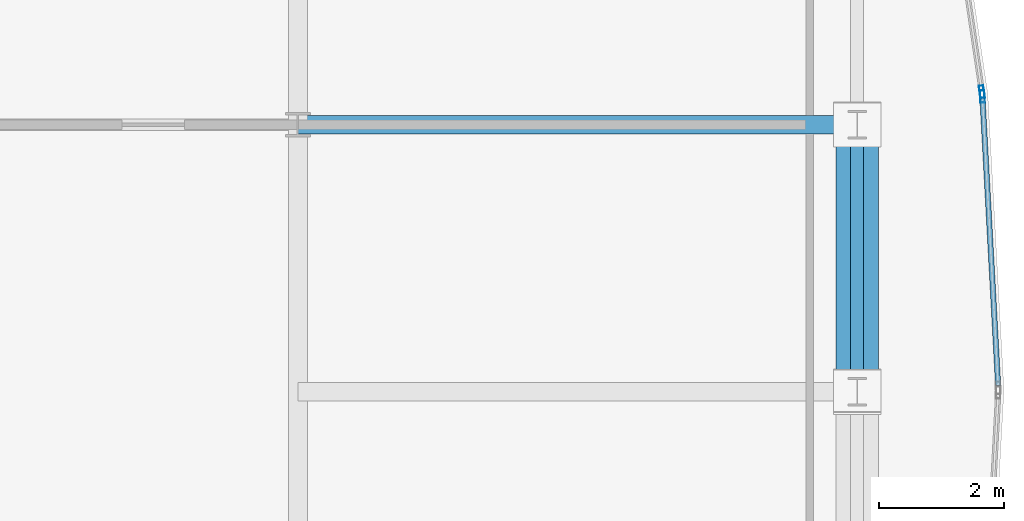
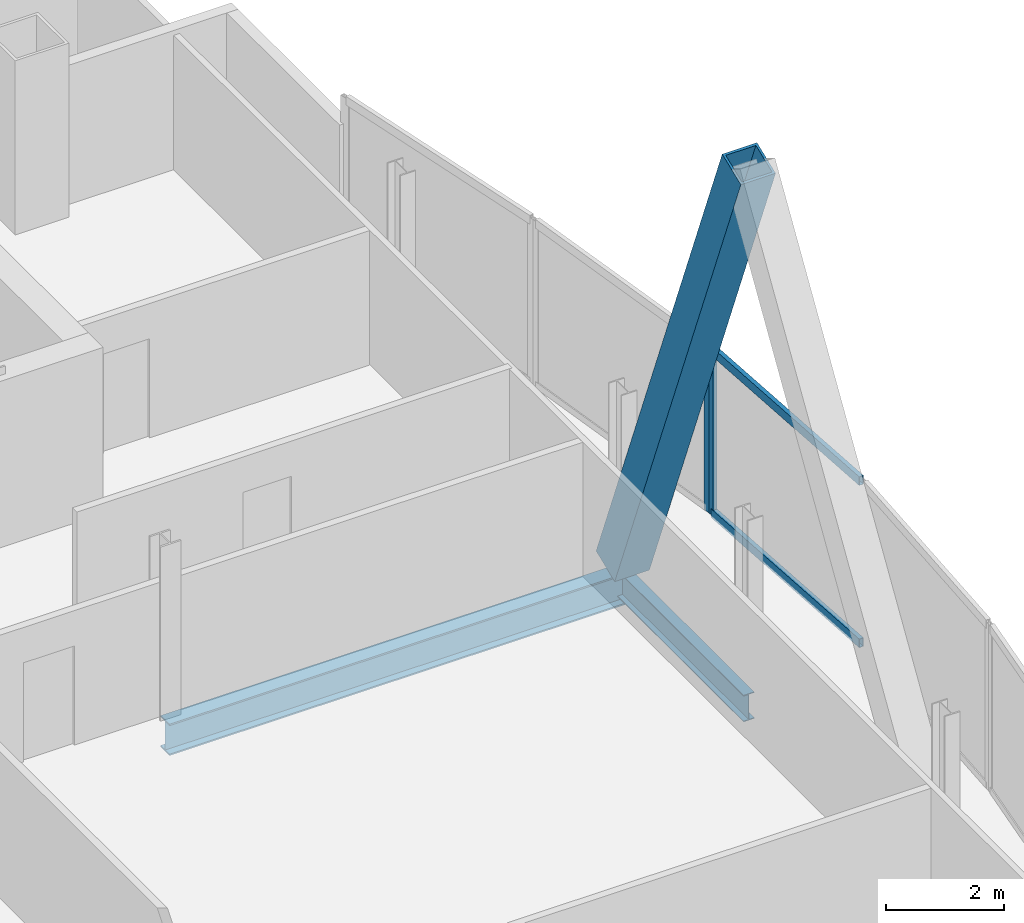
# One storey, part 19 of 31: 5 members, 2 beams, 2 elements without a shape of their own.
"""IFC4 building model written with IfcOpenShell, lengths in metres."""

from ifc_helpers import new_model, si_unit, direction, frame, origin, origin_2d, place, context, subcontext, project, spatial, hollow_rectangle, i_section, extrude, material, material_profile, profile_set, type_object, element, aggregate, save


model = new_model("IFC4")

# Units and contexts
model_context = context("Model", 3, precision=1e-05, world=origin(), true_north=direction((0.0, 1.0)))
body_context = subcontext(model_context, "Body", "Model", "MODEL_VIEW")
ifc_project = project(units=[si_unit("LENGTHUNIT", "METRE"), si_unit("AREAUNIT", "SQUARE_METRE"), si_unit("VOLUMEUNIT", "CUBIC_METRE"), si_unit("PLANEANGLEUNIT", "RADIAN"), si_unit("MASSUNIT", "GRAM", prefix="KILO")], contexts=[model_context])

# Site, building, storey
site_placement = place(None, origin())
site = spatial("IfcSite", under=ifc_project, at=site_placement, CompositionType="ELEMENT")
building_placement = place(site_placement, origin())
building = spatial("IfcBuilding", under=site, at=building_placement, Name="Khoronbel Lancet Exchange", CompositionType="ELEMENT")
storey_placement = place(building_placement, frame((0.0, 0.0, 273.39990234375)))
storey = spatial("IfcBuildingStorey", under=building, at=storey_placement, Name="L70", CompositionType="ELEMENT", Elevation=273.39990234375)

# Beams
ifc_material_1 = material(Name="Steel S355", Category="steel")
ifc_material_profile_1 = material_profile(ifc_material_1, i_section(OverallWidth=0.300048828125, OverallDepth=0.64990234375, WebThickness=0.01611328125, FlangeThickness=0.031005859375, at=origin_2d()), Name="HEB 650")
ifc_profile_set_1 = profile_set([ifc_material_profile_1], Name="Steel S355")
beam_type_1 = type_object("IfcBeamType", Name="BM-BG4", PredefinedType="BEAM", material=ifc_profile_set_1)
beam_1_placement = place(storey_placement, frame((54.675048828125, 35.699951171875, -0.48486328125), z_axis=(1.0, 0.0, 0.0), x_axis=(0.0, 1.0, 0.0)))
element("IfcBeam", 1, at=beam_1_placement, inside=storey, type_object=beam_type_1, Name="Level L70 east lens tie girder LG4E", PredefinedType="BEAM", context=body_context, shape_type="SweptSolid", body=[
    extrude(i_section(OverallWidth=0.300048828125, OverallDepth=0.64990234375, WebThickness=0.01611328125, FlangeThickness=0.031005859375, at=origin_2d()), origin(), (0.0, 0.0, 1.0), 8.954833984375),
])
ifc_material_profile_2 = material_profile(ifc_material_1, i_section(OverallWidth=0.2099609375, OverallDepth=0.550048828125, WebThickness=0.010986328125, FlangeThickness=0.01708984375, at=origin_2d()), Name="IPE 550")
ifc_profile_set_2 = profile_set([ifc_material_profile_2], Name="Steel S355")
beam_type_2 = type_object("IfcBeamType", Name="BM-BSP3", PredefinedType="SPANDREL", material=ifc_profile_set_2)
beam_2_placement = place(storey_placement, frame((63.6298828125, 31.425048828125, -0.434814453125), z_axis=(0.0, 1.0, 0.0), x_axis=(-1.0, 0.0, 0.0)))
element("IfcBeam", 2, at=beam_2_placement, inside=storey, type_object=beam_type_2, Name="Level L70 perimeter spandrel beam SP13", PredefinedType="SPANDREL", context=body_context, shape_type="SweptSolid", body=[
    extrude(i_section(OverallWidth=0.2099609375, OverallDepth=0.550048828125, WebThickness=0.010986328125, FlangeThickness=0.01708984375, at=origin_2d()), origin(), (0.0, 0.0, 1.0), 4.27490234375),
])

# Curtain wall, member
ifc_material_2 = material(Name="Low-E Solar Control Insulating Glass", Category="glass")
curtain_wall_type = type_object("IfcCurtainWallType", Name="CW-4", PredefinedType="NOTDEFINED", material=ifc_material_2)
curtain_wall_1_placement = place(storey_placement, origin())
curtain_wall_1 = element("IfcCurtainWall", 3, at=curtain_wall_1_placement, inside=storey, type_object=curtain_wall_type, Name="Unitised curtain wall CW-L70-E18", PredefinedType="NOTDEFINED")
ifc_material_3 = material(Name="Bronze-Anodised Aluminium 6063-T6", Category="aluminium")
ifc_material_profile_3 = material_profile(ifc_material_3, hollow_rectangle(XDim=0.074951171875, YDim=0.199951171875, WallThickness=0.0048828125, at=origin_2d()), Name="ALU MULLION 75x200")
ifc_profile_set_3 = profile_set([ifc_material_profile_3], Name="Bronze-Anodised Aluminium 6063-T6")
member_type_1 = type_object("IfcMemberType", Name="MEM-CWM2", PredefinedType="MULLION", material=ifc_profile_set_3)
member_1_placement = place(storey_placement, frame((65.626708984375, 36.22802734375, 0.0), z_axis=(0.0, 0.0, 1.0), x_axis=(0.989113824461, 0.147152445645, 0.0)))
member_1 = element("IfcMember", 4, at=member_1_placement, type_object=member_type_1, Name="CW4 mullion 2", PredefinedType="MULLION", context=body_context, shape_type="SweptSolid", body=[
    extrude(hollow_rectangle(XDim=0.074951171875, YDim=0.199951171875, WallThickness=0.0048828125, at=origin_2d()), origin(), (0.0, 0.0, 1.0), 3.440185546875),
])
aggregate(curtain_wall_1, [member_1])

# Curtain wall, members
curtain_wall_2_placement = place(storey_placement, origin())
curtain_wall_2 = element("IfcCurtainWall", 5, at=curtain_wall_2_placement, inside=storey, type_object=curtain_wall_type, Name="Unitised curtain wall CW-L70-E19", PredefinedType="NOTDEFINED")
member_2_placement = place(storey_placement, frame((65.63427734375, 36.153564453125, 0.0), z_axis=(0.0, 0.0, 1.0), x_axis=(0.998521367155, 0.05436064141, 0.0)))
member_2 = element("IfcMember", 6, at=member_2_placement, type_object=member_type_1, Name="CW4 mullion 1", PredefinedType="MULLION", context=body_context, shape_type="SweptSolid", body=[
    extrude(hollow_rectangle(XDim=0.074951171875, YDim=0.199951171875, WallThickness=0.0048828125, at=origin_2d()), origin(), (0.0, 0.0, 1.0), 3.440185546875),
])
ifc_material_profile_4 = material_profile(ifc_material_3, hollow_rectangle(XDim=0.0849609375, YDim=0.179931640625, WallThickness=0.0048828125, at=origin_2d()), Name="ALU TRANSOM 85x180")
ifc_profile_set_4 = profile_set([ifc_material_profile_4], Name="Bronze-Anodised Aluminium 6063-T6")
member_type_2 = type_object("IfcMemberType", Name="MEM-CWT1", PredefinedType="USERDEFINED", material=ifc_profile_set_4)
member_3_placement = place(storey_placement, frame((65.63623046875, 36.115966796875, 0.04248046875), z_axis=(0.054373049093, -0.998520691589, 0.0), x_axis=(0.998520691589, 0.054373049093, 0.0)))
member_3 = element("IfcMember", 7, at=member_3_placement, type_object=member_type_2, Name="CW4 transom 1.1", ObjectType="TRANSOM", PredefinedType="USERDEFINED", context=body_context, shape_type="SweptSolid", body=[
    extrude(hollow_rectangle(XDim=0.0849609375, YDim=0.179931640625, WallThickness=0.0048828125, at=origin_2d()), origin(), (0.0, 0.0, 1.0), 4.597900390625),
])
member_4_placement = place(storey_placement, frame((65.63623046875, 36.115966796875, 3.397705078125), z_axis=(0.054373049093, -0.998520691589, 0.0), x_axis=(0.998520691589, 0.054373049093, 0.0)))
member_4 = element("IfcMember", 8, at=member_4_placement, type_object=member_type_2, Name="CW4 transom 1.2", ObjectType="TRANSOM", PredefinedType="USERDEFINED", context=body_context, shape_type="SweptSolid", body=[
    extrude(hollow_rectangle(XDim=0.0849609375, YDim=0.179931640625, WallThickness=0.0048828125, at=origin_2d()), origin(), (0.0, 0.0, 1.0), 4.597900390625),
])
aggregate(curtain_wall_2, [member_2, member_3, member_4])

# Member
ifc_material_4 = material(Name="Steel S460", Category="steel")
ifc_material_profile_5 = material_profile(ifc_material_4, hollow_rectangle(XDim=0.679931640625, YDim=0.679931640625, WallThickness=0.044921875, at=origin_2d()), Name="BOX 680x680x45")
ifc_profile_set_5 = profile_set([ifc_material_profile_5], Name="Steel S460")
member_type_3 = type_object("IfcMemberType", Name="MEM-MB3", PredefinedType="BRACE", material=ifc_profile_set_5)
member_5_placement = place(storey_placement, frame((63.6298828125, 35.699951171875, 0.0), z_axis=(0.0, -0.368039743753, 0.929810059646), x_axis=(1.0, 0.0, 0.0)))
element("IfcMember", 9, at=member_5_placement, inside=storey, type_object=member_type_3, Name="Perimeter lancet brace tier 24 E-P-R", PredefinedType="BRACE", context=body_context, shape_type="SweptSolid", body=[
    extrude(hollow_rectangle(XDim=0.679931640625, YDim=0.679931640625, WallThickness=0.044921875, at=origin_2d()), origin(), (0.0, 0.0, 1.0), 11.615234375),
])

save(model, "model.ifc")
